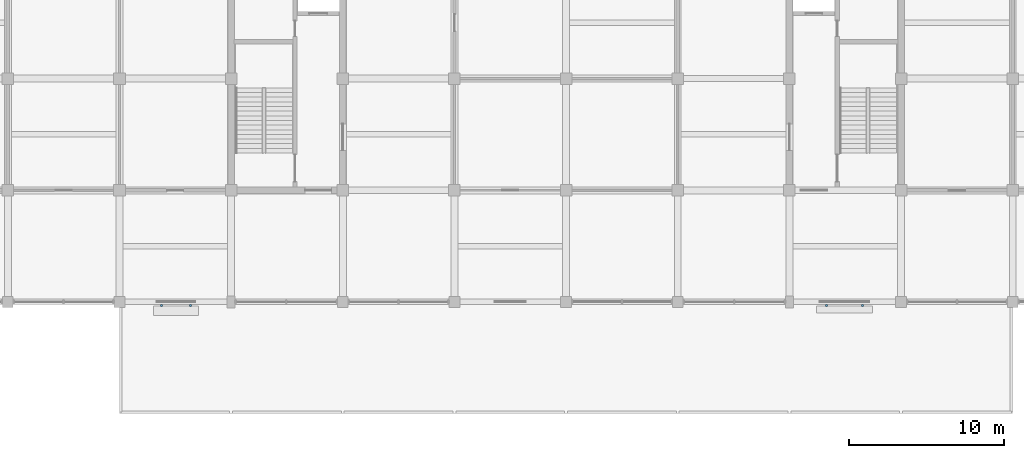
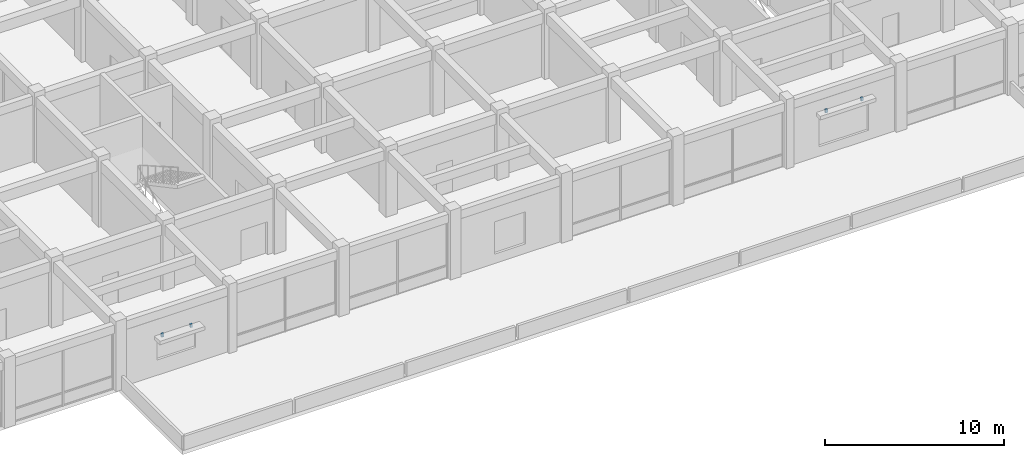
# One storey, part 28 of 30: 4 discrete accessories.
"""IFC4 building model written with IfcOpenShell, lengths in metres."""

from ifc_helpers import new_model, si_unit, direction, frame, origin, origin_2d, place, context, subcontext, project, spatial, rectangle, extrude, material, type_object, element, save


model = new_model("IFC4")

# Units and contexts
model_context = context("Model", 3, precision=1e-05, world=origin(), true_north=direction((0.0, 1.0)))
body_context = subcontext(model_context, "Body", "Model", "MODEL_VIEW")
ifc_project = project(units=[si_unit("LENGTHUNIT", "METRE"), si_unit("AREAUNIT", "SQUARE_METRE"), si_unit("VOLUMEUNIT", "CUBIC_METRE"), si_unit("PLANEANGLEUNIT", "RADIAN"), si_unit("MASSUNIT", "GRAM", prefix="KILO")], contexts=[model_context])

# Site, building, storey
site_placement = place(None, origin())
site = spatial("IfcSite", under=ifc_project, at=site_placement, CompositionType="ELEMENT")
building_placement = place(site_placement, origin())
building = spatial("IfcBuilding", under=site, at=building_placement, Name="Cendaluz Park School", CompositionType="ELEMENT")
storey_placement = place(building_placement, frame((0.0, 0.0, 9.60009765625)))
storey = spatial("IfcBuildingStorey", under=building, at=storey_placement, Name="L02", CompositionType="ELEMENT", Elevation=9.60009765625)

# Discrete accessories
ifc_material = material(Name="Steel S355", Category="steel")
discrete_accessory_type = type_object("IfcDiscreteAccessoryType", Name="BK-01", PredefinedType="BRACKET", material=ifc_material)
for number, where, z_axis, x_axis, name in (
    (1, (60.322021484375, 6.97998046875, 2.6298828125), (0.0, 0.0, 1.0), (1.0, 0.0, 0.0), "BK-L02-099"),
    (2, (62.177978515625, 6.97998046875, 2.6298828125), (0.0, 0.0, 1.0), (1.0, 0.0, 0.0), "BK-L02-100"),
    (3, (103.197998046875, 6.97998046875, 2.9296875), (0.0, 0.0, 1.0), (1.0, 0.0, 0.0), "BK-L02-101"),
    (4, (105.501953125, 6.97998046875, 2.9296875), (0.0, 0.0, 1.0), (1.0, 0.0, 0.0), "BK-L02-102"),
):
    element("IfcDiscreteAccessory", number, at=place(storey_placement, frame(where, z_axis=z_axis, x_axis=x_axis)), inside=storey, type_object=discrete_accessory_type, Name=name, PredefinedType="BRACKET", context=body_context, shape_type="SweptSolid", body=[
        extrude(rectangle(XDim=0.139892578125, YDim=0.139892578125, at=origin_2d()), origin(), (0.0, 0.0, 1.0), 0.219970703125),
    ])

save(model, "model.ifc")
